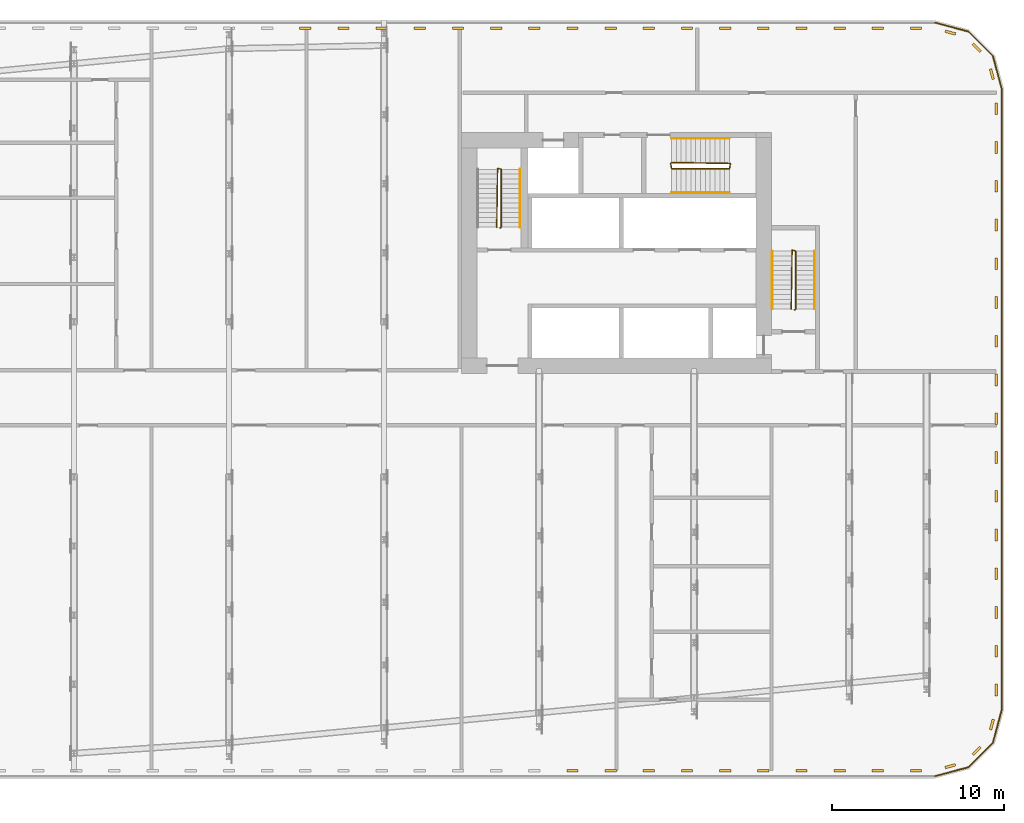
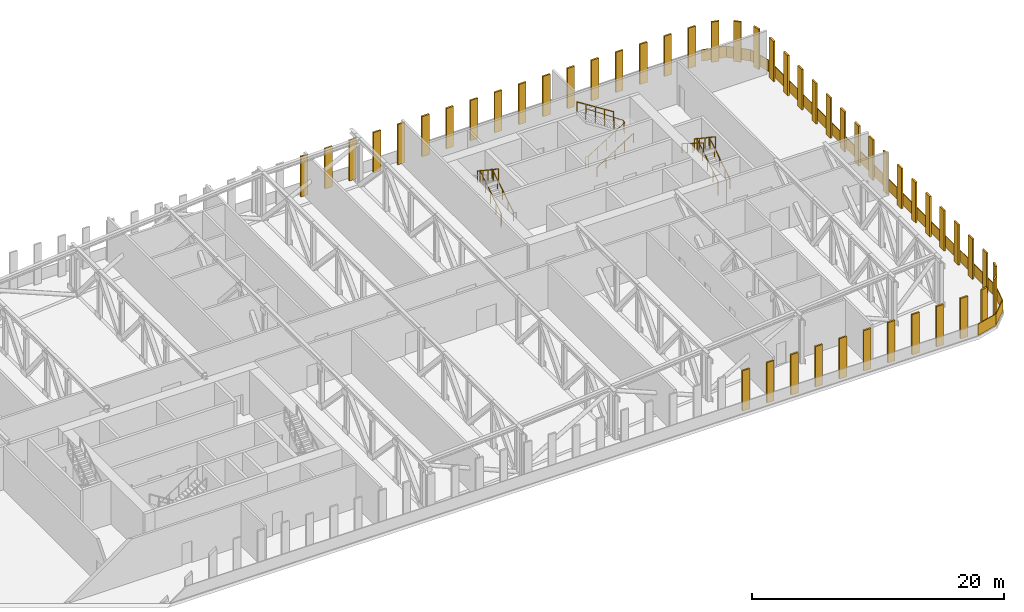
# One storey, part 22 of 22: 49 shading devices, 15 railings.
"""IFC4 building model written with IfcOpenShell, lengths in metres."""

import ifcopenshell
import ifcopenshell.guid

model = None  # the IFC model being written
_history = None  # IfcOwnerHistory: only IFC2X3 demands one
_inside = {}  # id of a spatial element -> (the spatial element, [elements in it])
_under = {}  # id of a project, library or spatial element -> (it, [spatial elements below it])
_declared = {}  # id of a project -> (the project, [libraries it declares])
_typed = {}  # id of a type object -> (the type object, [elements of that type])
_made_of = {}  # id of a material, layer set ... -> (it, [elements and type objects made of it])


def new_model(schema):
    """Start an empty IFC model of exactly this schema.

    Asked for "IFC4X3", IfcOpenShell would pick the latest addendum, in which some entities
    have other attributes; the version numbers below select the first issue.
    IFC2X3 requires an IfcOwnerHistory on every rooted entity: one is made here for all.
    """
    global model, _history
    if schema == "IFC4X3":
        model = ifcopenshell.file(schema_version=(4, 3, 0, 0))
    else:
        model = ifcopenshell.file(schema=schema)
    _inside.clear()
    _under.clear()
    _declared.clear()
    _typed.clear()
    _made_of.clear()
    _history = None
    if model.schema == "IFC2X3":
        org = make("IfcOrganization", Name="unknown")
        user = make(
            "IfcPersonAndOrganization",
            ThePerson=make("IfcPerson", FamilyName="unknown"),
            TheOrganization=org,
        )
        app = make(
            "IfcApplication",
            ApplicationDeveloper=org,
            Version="unknown",
            ApplicationFullName="unknown",
            ApplicationIdentifier="unknown",
        )
        _history = make(
            "IfcOwnerHistory",
            OwningUser=user,
            OwningApplication=app,
            ChangeAction="ADDED",
            CreationDate=0,
        )
    return model


def make(cls, **values):
    """One entity of the class cls with the attributes given. An attribute that is None is left unset."""
    return model.create_entity(
        cls, **{name: value for name, value in values.items() if value is not None}
    )


def rooted(cls, **values):
    """An entity with a GlobalId (a new one), such as an element, a storey or a relation."""
    return make(cls, GlobalId=ifcopenshell.guid.new(), OwnerHistory=_history, **values)


def si_unit(unit_type, name, prefix=None):
    """IfcSIUnit, for example si_unit("LENGTHUNIT", "METRE", prefix="MILLI")."""
    return make("IfcSIUnit", UnitType=unit_type, Prefix=prefix, Name=name)


def assignment(units):
    """IfcUnitAssignment: the units of a project."""
    return None if units is None else make("IfcUnitAssignment", Units=units)


def point(xyz):
    """IfcCartesianPoint."""
    return None if xyz is None else make("IfcCartesianPoint", Coordinates=xyz)


def direction(xyz):
    """IfcDirection."""
    return None if xyz is None else make("IfcDirection", DirectionRatios=xyz)


def frame(location, z_axis=None, x_axis=None):
    """IfcAxis2Placement3D, a coordinate frame: its origin and axes. An axis left out is left unset."""
    return make(
        "IfcAxis2Placement3D",
        Location=point(location),
        Axis=direction(z_axis),
        RefDirection=direction(x_axis),
    )


def frame_2d(location, x_axis=None):
    """IfcAxis2Placement2D, a coordinate frame in the plane: its origin and x axis."""
    return make(
        "IfcAxis2Placement2D", Location=point(location), RefDirection=direction(x_axis)
    )


def origin():
    """The frame at (0, 0, 0) with its axes left unset."""
    return frame((0.0, 0.0, 0.0))


def origin_2d():
    """The frame at (0, 0) in the plane with its x axis left unset."""
    return frame_2d((0.0, 0.0))


def place(relative_to, where):
    """IfcLocalPlacement: puts the frame where relative to a parent placement (None: the world)."""
    return make(
        "IfcLocalPlacement", PlacementRelTo=relative_to, RelativePlacement=where
    )


def context(
    kind, dimensions, precision=None, world=None, true_north=None, identifier=None
):
    """IfcGeometricRepresentationContext, for example the 3D "Model" context."""
    return make(
        "IfcGeometricRepresentationContext",
        ContextIdentifier=identifier,
        ContextType=kind,
        CoordinateSpaceDimension=dimensions,
        Precision=precision,
        WorldCoordinateSystem=world,
        TrueNorth=true_north,
    )


def subcontext(parent, identifier, kind, view, scale=None):
    """IfcGeometricRepresentationSubContext, for example "Body" below "Model"."""
    return make(
        "IfcGeometricRepresentationSubContext",
        ContextIdentifier=identifier,
        ContextType=kind,
        ParentContext=parent,
        TargetScale=scale,
        TargetView=view,
    )


def project(units=None, contexts=None):
    """IfcProject with its units and contexts."""
    return rooted(
        "IfcProject",
        Name="project",
        RepresentationContexts=contexts,
        UnitsInContext=assignment(units),
    )


def spatial(cls, under=None, at=None, **own):
    """A site, building, storey or space (cls), placed at a placement, below another one or the project."""
    s = rooted(cls, ObjectPlacement=at, **own)
    if under is not None:
        _under.setdefault(under.id(), (under, []))[1].append(s)
    return s


def polyline(points):
    """IfcPolyline through the points."""
    return make("IfcPolyline", Points=[point(p) for p in points])


def profile(cls, at=None, kind="AREA", **sizes):
    """A parametric profile (cls). Its sizes go by their IFC names, for example OverallWidth=200.0."""
    return make(cls, ProfileType=kind, Position=at, **sizes)


def rectangle(**sizes):
    """IfcRectangleProfileDef."""
    return profile("IfcRectangleProfileDef", **sizes)


def circle(**sizes):
    """IfcCircleProfileDef."""
    return profile("IfcCircleProfileDef", **sizes)


def outline(outer, holes=None, kind="AREA"):
    """IfcArbitraryClosedProfileDef: a profile drawn as a closed curve; with holes, ...WithVoids."""
    if holes is None:
        return make("IfcArbitraryClosedProfileDef", ProfileType=kind, OuterCurve=outer)
    return make(
        "IfcArbitraryProfileDefWithVoids",
        ProfileType=kind,
        OuterCurve=outer,
        InnerCurves=holes,
    )


def extrude(swept, where, along, depth):
    """IfcExtrudedAreaSolid: the profile swept, set in the frame where, extruded along a direction by depth."""
    return make(
        "IfcExtrudedAreaSolid",
        SweptArea=swept,
        Position=where,
        ExtrudedDirection=direction(along),
        Depth=depth,
    )


def shape(context_of_items, identifier, shape_type, items):
    """IfcShapeRepresentation: the items that make up one representation, for example the "Body"."""
    return make(
        "IfcShapeRepresentation",
        ContextOfItems=context_of_items,
        RepresentationIdentifier=identifier,
        RepresentationType=shape_type,
        Items=items,
    )


def material(Name=None, Category=None):
    """IfcMaterial."""
    return make("IfcMaterial", Name=Name, Category=Category)


def made_of(thing, what):
    """Note that an element or type object is made of a material, layer set ...; save() writes the relation."""
    if what is not None:
        _made_of.setdefault(what.id(), (what, []))[1].append(thing)
    return thing


def type_object(cls, material=None, **own):
    """A type object (cls), such as IfcWallType, which elements share."""
    return made_of(rooted(cls, **own), material)


def element(
    cls,
    number,
    at=None,
    inside=None,
    cuts=None,
    type_object=None,
    material=None,
    context=None,
    identifier="Body",
    shape_type=None,
    held_by="IfcProductDefinitionShape",
    body=None,
    shapes=None,
    **own,
):
    """One element of the class cls, such as IfcWall. Its Tag is "e" and its number.

    at: its placement. inside: the storey or other place that contains it. cuts: it is an
    opening in that element (IfcRelVoidsElement). A single representation is given by context,
    identifier, shape_type and body (its items); several are given by shapes. held_by: the class
    of the entity that holds the representations. save() writes the other relations.
    """
    e = rooted(cls, Tag="e%d" % number, ObjectPlacement=at, **own)
    if body is not None:
        shapes = [shape(context, identifier, shape_type, body)]
    if shapes is not None:
        e.Representation = make(held_by, Representations=shapes)
    if inside is not None:
        _inside.setdefault(inside.id(), (inside, []))[1].append(e)
    if cuts is not None:
        rooted(
            "IfcRelVoidsElement", RelatingBuildingElement=cuts, RelatedOpeningElement=e
        )
    if type_object is not None:
        _typed.setdefault(type_object.id(), (type_object, []))[1].append(e)
    return made_of(e, material)


def aggregate(whole, parts):
    """IfcRelAggregates: a whole, such as a stair, and the parts it consists of."""
    return rooted("IfcRelAggregates", RelatingObject=whole, RelatedObjects=parts)


def save(model, path):
    """Write the relations noted so far, then the file.

    IfcRelAggregates (storeys below a building ...), IfcRelContainedInSpatialStructure (elements
    in a storey), IfcRelDefinesByType, IfcRelAssociatesMaterial and IfcRelDeclares: one each for
    every whole, place, type object, material and project.
    """
    for whole, parts in _under.values():
        aggregate(whole, parts)
    for where, things in _inside.values():
        rooted(
            "IfcRelContainedInSpatialStructure",
            RelatedElements=things,
            RelatingStructure=where,
        )
    for kind, things in _typed.values():
        rooted("IfcRelDefinesByType", RelatedObjects=things, RelatingType=kind)
    for what, things in _made_of.values():
        rooted("IfcRelAssociatesMaterial", RelatedObjects=things, RelatingMaterial=what)
    for by, libraries in _declared.values():
        rooted("IfcRelDeclares", RelatingContext=by, RelatedDefinitions=libraries)
    model.write(path)


model = new_model("IFC4")

# Units and contexts
model_context = context("Model", 3, precision=1e-05, world=origin(), true_north=direction((0.0, 1.0)))
body_context = subcontext(model_context, "Body", "Model", "MODEL_VIEW")
ifc_project = project(units=[si_unit("LENGTHUNIT", "METRE"), si_unit("AREAUNIT", "SQUARE_METRE"), si_unit("VOLUMEUNIT", "CUBIC_METRE"), si_unit("PLANEANGLEUNIT", "RADIAN"), si_unit("MASSUNIT", "GRAM", prefix="KILO")], contexts=[model_context])

# Site, building, storey
site_placement = place(None, origin())
site = spatial("IfcSite", under=ifc_project, at=site_placement, CompositionType="ELEMENT")
building_placement = place(site_placement, origin())
building = spatial("IfcBuilding", under=site, at=building_placement, Name="Kajstack Hotel Tower", CompositionType="ELEMENT")
storey_placement = place(building_placement, frame((0.0, 0.0, 99.60009765625)))
storey = spatial("IfcBuildingStorey", under=building, at=storey_placement, Name="L21", CompositionType="ELEMENT", Elevation=99.60009765625)

# Railings
ifc_material = material(Name="Steel S355J2", Category="steel")
railing_type_1 = type_object("IfcRailingType", Name="GUARD-FACADE", PredefinedType="GUARDRAIL", material=ifc_material)
railing_1_placement = place(storey_placement, frame((40.984130859375, -21.8798828125, 0.0)))
element("IfcRailing", 1, at=railing_1_placement, inside=storey, type_object=railing_type_1, Name="Guard L21 slab edge 04", PredefinedType="GUARDRAIL", context=body_context, shape_type="SweptSolid", body=[
    extrude(outline(polyline([(1.946044921875, 0.552490234375), (1.961669921875, 0.494384765625), (0.0078125, -0.029052734375), (-0.0078125, 0.029052734375), (1.946044921875, 0.552490234375)])), origin(), (0.0, 0.0, 1.0), 1.10009765625),
])
railing_2_placement = place(storey_placement, frame((42.93798828125, -21.3564453125, 0.0)))
element("IfcRailing", 2, at=railing_2_placement, inside=storey, type_object=railing_type_1, Name="Guard L21 slab edge 05", PredefinedType="GUARDRAIL", context=body_context, shape_type="SweptSolid", body=[
    extrude(outline(polyline([(1.397216796875, 1.439697265625), (1.439697265625, 1.397216796875), (0.021240234375, -0.021240234375), (-0.021240234375, 0.021240234375), (1.397216796875, 1.439697265625)])), origin(), (0.0, 0.0, 1.0), 1.10009765625),
])
railing_3_placement = place(storey_placement, frame((44.3564453125, -19.93798828125, 0.0)))
element("IfcRailing", 3, at=railing_3_placement, inside=storey, type_object=railing_type_1, Name="Guard L21 slab edge 06", PredefinedType="GUARDRAIL", context=body_context, shape_type="SweptSolid", body=[
    extrude(outline(polyline([(0.494384765625, 1.961669921875), (0.552490234375, 1.946044921875), (0.029052734375, -0.0078125), (-0.029052734375, 0.0078125), (0.494384765625, 1.961669921875)])), origin(), (0.0, 0.0, 1.0), 1.10009765625),
])
railing_4_placement = place(storey_placement, frame((44.8798828125, -17.984130859375, 0.0)))
element("IfcRailing", 4, at=railing_4_placement, inside=storey, type_object=railing_type_1, Name="Guard L21 slab edge 07", PredefinedType="GUARDRAIL", context=body_context, shape_type="SweptSolid", body=[
    extrude(outline(polyline([(-0.030029296875, 35.96826171875), (0.030029296875, 35.96826171875), (0.030029296875, 0.0), (-0.030029296875, 0.0), (-0.030029296875, 35.96826171875)])), origin(), (0.0, 0.0, 1.0), 1.10009765625),
])
railing_5_placement = place(storey_placement, frame((44.8798828125, 17.984130859375, 0.0)))
element("IfcRailing", 5, at=railing_5_placement, inside=storey, type_object=railing_type_1, Name="Guard L21 slab edge 08", PredefinedType="GUARDRAIL", context=body_context, shape_type="SweptSolid", body=[
    extrude(outline(polyline([(-0.552490234375, 1.946044921875), (-0.494384765625, 1.961669921875), (0.029052734375, 0.0078125), (-0.029052734375, -0.0078125), (-0.552490234375, 1.946044921875)])), origin(), (0.0, 0.0, 1.0), 1.10009765625),
])
railing_6_placement = place(storey_placement, frame((44.3564453125, 19.93798828125, 0.0)))
element("IfcRailing", 6, at=railing_6_placement, inside=storey, type_object=railing_type_1, Name="Guard L21 slab edge 09", PredefinedType="GUARDRAIL", context=body_context, shape_type="SweptSolid", body=[
    extrude(outline(polyline([(-1.439697265625, 1.397216796875), (-1.397216796875, 1.439697265625), (0.021240234375, 0.021240234375), (-0.021240234375, -0.021240234375), (-1.439697265625, 1.397216796875)])), origin(), (0.0, 0.0, 1.0), 1.10009765625),
])
railing_7_placement = place(storey_placement, frame((42.93798828125, 21.3564453125, 0.0)))
element("IfcRailing", 7, at=railing_7_placement, inside=storey, type_object=railing_type_1, Name="Guard L21 slab edge 10", PredefinedType="GUARDRAIL", context=body_context, shape_type="SweptSolid", body=[
    extrude(outline(polyline([(-1.961669921875, 0.494384765625), (-1.946044921875, 0.552490234375), (0.0078125, 0.029052734375), (-0.0078125, -0.029052734375), (-1.961669921875, 0.494384765625)])), origin(), (0.0, 0.0, 1.0), 1.10009765625),
])
railing_type_2 = type_object("IfcRailingType", Name="Stair guard 1100", PredefinedType="GUARDRAIL", material=ifc_material)
railing_8_placement = place(storey_placement, frame((32.85009765625, 5.199951171875, 0.0)))
element("IfcRailing", 8, at=railing_8_placement, inside=storey, type_object=railing_type_2, Name="L21 E1 stair guard 1", PredefinedType="GUARDRAIL", context=body_context, shape_type="SweptSolid", body=[
    extrude(circle(Radius=0.02392578125, at=origin_2d()), frame((0.0, 0.0, 1.076171875), z_axis=(0.261663861435, 0.262946527422, 0.928650174897), x_axis=(-0.708833529934, 0.705375805398, 0.0)), (0.0, 0.0, 1.0), 0.1904296875),
    extrude(circle(Radius=0.02392578125, at=origin_2d()), frame((0.0498046875, 0.050048828125, 1.2529296875), z_axis=(0.0, 0.845389635667, 0.534150132366), x_axis=(-1.0, 0.0, 0.0)), (0.0, 0.0, 1.0), 3.974609375),
    extrude(circle(Radius=0.02392578125, at=origin_2d()), frame((0.0498046875, 3.41015625, 3.3759765625), z_axis=(-0.970351222016, 0.241699205484, 0.0), x_axis=(-0.241699205484, -0.970351222016, 0.0)), (0.0, 0.0, 1.0), 0.2060546875),
    extrude(circle(Radius=0.02392578125, at=origin_2d()), frame((-0.150146484375, 3.4599609375, 3.3759765625), z_axis=(-0.012167203753, -0.828972364935, 0.559157202696), x_axis=(0.999892303572, -0.014675873289, 0.0)), (0.0, 0.0, 1.0), 4.113525390625),
    extrude(circle(Radius=0.02099609375, at=origin_2d()), origin(), (0.0, 0.0, 1.0), 1.052001953125),
    extrude(circle(Radius=0.02099609375, at=origin_2d()), frame((0.0498046875, 0.050048828125, 0.1767578125)), (0.0, 0.0, 1.0), 1.052001953125),
    extrude(circle(Radius=0.02099609375, at=origin_2d()), frame((0.0498046875, 0.89013671875, 0.70751953125)), (0.0, 0.0, 1.0), 1.052001953125),
    extrude(circle(Radius=0.02099609375, at=origin_2d()), frame((0.0498046875, 1.72998046875, 1.23828125)), (0.0, 0.0, 1.0), 1.052001953125),
    extrude(circle(Radius=0.02099609375, at=origin_2d()), frame((0.0498046875, 2.570068359375, 1.76904296875)), (0.0, 0.0, 1.0), 1.052001953125),
    extrude(circle(Radius=0.02099609375, at=origin_2d()), frame((0.0498046875, 3.41015625, 2.2998046875)), (0.0, 0.0, 1.0), 1.052001953125),
    extrude(circle(Radius=0.02099609375, at=origin_2d()), frame((-0.150146484375, 3.4599609375, 2.2998046875)), (0.0, 0.0, 1.0), 1.052001953125),
    extrude(circle(Radius=0.02099609375, at=origin_2d()), frame((-0.16259765625, 2.607421875, 2.874755859375)), (0.0, 0.0, 1.0), 1.052001953125),
    extrude(circle(Radius=0.02099609375, at=origin_2d()), frame((-0.17529296875, 1.7548828125, 3.44970703125)), (0.0, 0.0, 1.0), 1.052001953125),
    extrude(circle(Radius=0.02099609375, at=origin_2d()), frame((-0.187744140625, 0.902587890625, 4.02490234375)), (0.0, 0.0, 1.0), 1.052001953125),
    extrude(circle(Radius=0.02099609375, at=origin_2d()), frame((-0.2001953125, 0.050048828125, 4.599853515625)), (0.0, 0.0, 1.0), 1.052001953125),
])
railing_9_placement = place(storey_placement, frame((15.75, 9.949951171875, 0.0)))
element("IfcRailing", 9, at=railing_9_placement, inside=storey, type_object=railing_type_2, Name="L21 E2 stair guard 1", PredefinedType="GUARDRAIL", context=body_context, shape_type="SweptSolid", body=[
    extrude(circle(Radius=0.02392578125, at=origin_2d()), frame((0.0, 0.0, 1.076171875), z_axis=(0.262858103699, 0.262858103699, 0.928337888185), x_axis=(-0.707106781187, 0.707106781187, 0.0)), (0.0, 0.0, 1.0), 0.1904296875),
    extrude(circle(Radius=0.02392578125, at=origin_2d()), frame((0.050048828125, 0.050048828125, 1.2529296875), z_axis=(0.0, 0.845389635667, 0.534150132366), x_axis=(-1.0, 0.0, 0.0)), (0.0, 0.0, 1.0), 3.974609375),
    extrude(circle(Radius=0.02392578125, at=origin_2d()), frame((0.050048828125, 3.41015625, 3.3759765625), z_axis=(-0.970351222016, 0.241699205484, 0.0), x_axis=(-0.241699205484, -0.970351222016, 0.0)), (0.0, 0.0, 1.0), 0.2060546875),
    extrude(circle(Radius=0.02392578125, at=origin_2d()), frame((-0.14990234375, 3.4599609375, 3.3759765625), z_axis=(-0.012167203753, -0.828972364935, 0.559157202696), x_axis=(0.999892303572, -0.014675873289, 0.0)), (0.0, 0.0, 1.0), 4.113525390625),
    extrude(circle(Radius=0.02099609375, at=origin_2d()), origin(), (0.0, 0.0, 1.0), 1.052001953125),
    extrude(circle(Radius=0.02099609375, at=origin_2d()), frame((0.050048828125, 0.050048828125, 0.1767578125)), (0.0, 0.0, 1.0), 1.052001953125),
    extrude(circle(Radius=0.02099609375, at=origin_2d()), frame((0.050048828125, 0.89013671875, 0.70751953125)), (0.0, 0.0, 1.0), 1.052001953125),
    extrude(circle(Radius=0.02099609375, at=origin_2d()), frame((0.050048828125, 1.72998046875, 1.23828125)), (0.0, 0.0, 1.0), 1.052001953125),
    extrude(circle(Radius=0.02099609375, at=origin_2d()), frame((0.050048828125, 2.570068359375, 1.76904296875)), (0.0, 0.0, 1.0), 1.052001953125),
    extrude(circle(Radius=0.02099609375, at=origin_2d()), frame((0.050048828125, 3.41015625, 2.2998046875)), (0.0, 0.0, 1.0), 1.052001953125),
    extrude(circle(Radius=0.02099609375, at=origin_2d()), frame((-0.14990234375, 3.4599609375, 2.2998046875)), (0.0, 0.0, 1.0), 1.052001953125),
    extrude(circle(Radius=0.02099609375, at=origin_2d()), frame((-0.162353515625, 2.607421875, 2.874755859375)), (0.0, 0.0, 1.0), 1.052001953125),
    extrude(circle(Radius=0.02099609375, at=origin_2d()), frame((-0.1748046875, 1.7548828125, 3.44970703125)), (0.0, 0.0, 1.0), 1.052001953125),
    extrude(circle(Radius=0.02099609375, at=origin_2d()), frame((-0.1875, 0.902587890625, 4.02490234375)), (0.0, 0.0, 1.0), 1.052001953125),
    extrude(circle(Radius=0.02099609375, at=origin_2d()), frame((-0.199951171875, 0.050048828125, 4.599853515625)), (0.0, 0.0, 1.0), 1.052001953125),
])
railing_10_placement = place(storey_placement, frame((25.64990234375, 13.699951171875, 0.0)))
element("IfcRailing", 10, at=railing_10_placement, inside=storey, type_object=railing_type_2, Name="L21 E3 stair guard 1", PredefinedType="GUARDRAIL", context=body_context, shape_type="SweptSolid", body=[
    extrude(circle(Radius=0.02392578125, at=origin_2d()), frame((0.0, 0.0, 1.076171875), z_axis=(0.142256803, -0.852846882373, 0.502409392057), x_axis=(0.986372223864, 0.164529134168, 0.0)), (0.0, 0.0, 1.0), 0.351806640625),
    extrude(circle(Radius=0.02392578125, at=origin_2d()), frame((0.050048828125, -0.300048828125, 1.2529296875), z_axis=(0.845389635667, 0.0, 0.534150132366), x_axis=(0.0, 1.0, 0.0)), (0.0, 0.0, 1.0), 3.974609375),
    extrude(circle(Radius=0.02392578125, at=origin_2d()), frame((3.41015625, -0.300048828125, 3.3759765625), z_axis=(0.164529134168, 0.986372223864, 0.0), x_axis=(-0.986372223864, 0.164529134168, 0.0)), (0.0, 0.0, 1.0), 0.30419921875),
    extrude(circle(Radius=0.02392578125, at=origin_2d()), frame((3.460205078125, 0.0, 3.3759765625), z_axis=(-0.828990929223, 0.012166605133, 0.559129692455), x_axis=(-0.014674822837, -0.99989231899, 0.0)), (0.0, 0.0, 1.0), 4.113525390625),
    extrude(circle(Radius=0.02099609375, at=origin_2d()), origin(), (0.0, 0.0, 1.0), 1.052001953125),
    extrude(circle(Radius=0.02099609375, at=origin_2d()), frame((0.050048828125, -0.300048828125, 0.1767578125)), (0.0, 0.0, 1.0), 1.052001953125),
    extrude(circle(Radius=0.02099609375, at=origin_2d()), frame((0.89013671875, -0.300048828125, 0.70751953125)), (0.0, 0.0, 1.0), 1.052001953125),
    extrude(circle(Radius=0.02099609375, at=origin_2d()), frame((1.72998046875, -0.300048828125, 1.23828125)), (0.0, 0.0, 1.0), 1.052001953125),
    extrude(circle(Radius=0.02099609375, at=origin_2d()), frame((2.570068359375, -0.300048828125, 1.76904296875)), (0.0, 0.0, 1.0), 1.052001953125),
    extrude(circle(Radius=0.02099609375, at=origin_2d()), frame((3.41015625, -0.300048828125, 2.2998046875)), (0.0, 0.0, 1.0), 1.052001953125),
    extrude(circle(Radius=0.02099609375, at=origin_2d()), frame((3.460205078125, 0.0, 2.2998046875)), (0.0, 0.0, 1.0), 1.052001953125),
    extrude(circle(Radius=0.02099609375, at=origin_2d()), frame((2.607666015625, 0.012451171875, 2.874755859375)), (0.0, 0.0, 1.0), 1.052001953125),
    extrude(circle(Radius=0.02099609375, at=origin_2d()), frame((1.755126953125, 0.02490234375, 3.44970703125)), (0.0, 0.0, 1.0), 1.052001953125),
    extrude(circle(Radius=0.02099609375, at=origin_2d()), frame((0.902587890625, 0.03759765625, 4.02490234375)), (0.0, 0.0, 1.0), 1.052001953125),
    extrude(circle(Radius=0.02099609375, at=origin_2d()), frame((0.050048828125, 0.050048828125, 4.599853515625)), (0.0, 0.0, 1.0), 1.052001953125),
])
railing_type_3 = type_object("IfcRailingType", Name="Stair handrail 900", PredefinedType="HANDRAIL", material=ifc_material)
railing_11_placement = place(storey_placement, frame((34.0, 5.25, 0.1767578125)))
element("IfcRailing", 11, at=railing_11_placement, inside=storey, type_object=railing_type_3, Name="L21 E1 stair handrail 1", PredefinedType="HANDRAIL", context=body_context, shape_type="SweptSolid", body=[
    extrude(circle(Radius=0.02392578125, at=origin_2d()), frame((0.0, 0.0, 0.8759765625), z_axis=(0.0, 0.845389635667, 0.534150132366), x_axis=(-1.0, 0.0, 0.0)), (0.0, 0.0, 1.0), 3.974609375),
    extrude(circle(Radius=0.02099609375, at=origin_2d()), origin(), (0.0, 0.0, 1.0), 0.851806640625),
    extrude(circle(Radius=0.02099609375, at=origin_2d()), frame((0.0, 0.840087890625, 0.53076171875)), (0.0, 0.0, 1.0), 0.851806640625),
    extrude(circle(Radius=0.02099609375, at=origin_2d()), frame((0.0, 1.68017578125, 1.0615234375)), (0.0, 0.0, 1.0), 0.851806640625),
    extrude(circle(Radius=0.02099609375, at=origin_2d()), frame((0.0, 2.52001953125, 1.59228515625)), (0.0, 0.0, 1.0), 0.851806640625),
    extrude(circle(Radius=0.02099609375, at=origin_2d()), frame((0.0, 3.360107421875, 2.123046875)), (0.0, 0.0, 1.0), 0.851806640625),
])
railing_12_placement = place(storey_placement, frame((31.550048828125, 8.610107421875, 2.476806640625)))
element("IfcRailing", 12, at=railing_12_placement, inside=storey, type_object=railing_type_3, Name="L21 E1 stair handrail 2", PredefinedType="HANDRAIL", context=body_context, shape_type="SweptSolid", body=[
    extrude(circle(Radius=0.02392578125, at=origin_2d()), frame((0.0, 0.0, 0.8759765625), z_axis=(0.0, -0.845389635667, 0.534150132366), x_axis=(1.0, 0.0, 0.0)), (0.0, 0.0, 1.0), 3.974609375),
    extrude(circle(Radius=0.02099609375, at=origin_2d()), origin(), (0.0, 0.0, 1.0), 0.851806640625),
    extrude(circle(Radius=0.02099609375, at=origin_2d()), frame((0.0, -0.840087890625, 0.53076171875)), (0.0, 0.0, 1.0), 0.851806640625),
    extrude(circle(Radius=0.02099609375, at=origin_2d()), frame((0.0, -1.68017578125, 1.0615234375)), (0.0, 0.0, 1.0), 0.851806640625),
    extrude(circle(Radius=0.02099609375, at=origin_2d()), frame((0.0, -2.52001953125, 1.59228515625)), (0.0, 0.0, 1.0), 0.851806640625),
    extrude(circle(Radius=0.02099609375, at=origin_2d()), frame((0.0, -3.360107421875, 2.123046875)), (0.0, 0.0, 1.0), 0.851806640625),
])
railing_13_placement = place(storey_placement, frame((16.89990234375, 10.0, 0.1767578125)))
element("IfcRailing", 13, at=railing_13_placement, inside=storey, type_object=railing_type_3, Name="L21 E2 stair handrail 1", PredefinedType="HANDRAIL", context=body_context, shape_type="SweptSolid", body=[
    extrude(circle(Radius=0.02392578125, at=origin_2d()), frame((0.0, 0.0, 0.8759765625), z_axis=(0.0, 0.845389635667, 0.534150132366), x_axis=(-1.0, 0.0, 0.0)), (0.0, 0.0, 1.0), 3.974609375),
    extrude(circle(Radius=0.02099609375, at=origin_2d()), origin(), (0.0, 0.0, 1.0), 0.851806640625),
    extrude(circle(Radius=0.02099609375, at=origin_2d()), frame((0.0, 0.840087890625, 0.53076171875)), (0.0, 0.0, 1.0), 0.851806640625),
    extrude(circle(Radius=0.02099609375, at=origin_2d()), frame((0.0, 1.68017578125, 1.0615234375)), (0.0, 0.0, 1.0), 0.851806640625),
    extrude(circle(Radius=0.02099609375, at=origin_2d()), frame((0.0, 2.52001953125, 1.59228515625)), (0.0, 0.0, 1.0), 0.851806640625),
    extrude(circle(Radius=0.02099609375, at=origin_2d()), frame((0.0, 3.360107421875, 2.123046875)), (0.0, 0.0, 1.0), 0.851806640625),
])
railing_14_placement = place(storey_placement, frame((25.699951171875, 12.0, 0.1767578125)))
element("IfcRailing", 14, at=railing_14_placement, inside=storey, type_object=railing_type_3, Name="L21 E3 stair handrail 1", PredefinedType="HANDRAIL", context=body_context, shape_type="SweptSolid", body=[
    extrude(circle(Radius=0.02392578125, at=origin_2d()), frame((0.0, 0.0, 0.8759765625), z_axis=(0.845389635667, 0.0, 0.534150132366), x_axis=(0.0, 1.0, 0.0)), (0.0, 0.0, 1.0), 3.974609375),
    extrude(circle(Radius=0.02099609375, at=origin_2d()), origin(), (0.0, 0.0, 1.0), 0.851806640625),
    extrude(circle(Radius=0.02099609375, at=origin_2d()), frame((0.840087890625, 0.0, 0.53076171875)), (0.0, 0.0, 1.0), 0.851806640625),
    extrude(circle(Radius=0.02099609375, at=origin_2d()), frame((1.68017578125, 0.0, 1.0615234375)), (0.0, 0.0, 1.0), 0.851806640625),
    extrude(circle(Radius=0.02099609375, at=origin_2d()), frame((2.52001953125, 0.0, 1.59228515625)), (0.0, 0.0, 1.0), 0.851806640625),
    extrude(circle(Radius=0.02099609375, at=origin_2d()), frame((3.360107421875, 0.0, 2.123046875)), (0.0, 0.0, 1.0), 0.851806640625),
])
railing_15_placement = place(storey_placement, frame((29.06005859375, 15.14990234375, 2.476806640625)))
element("IfcRailing", 15, at=railing_15_placement, inside=storey, type_object=railing_type_3, Name="L21 E3 stair handrail 2", PredefinedType="HANDRAIL", context=body_context, shape_type="SweptSolid", body=[
    extrude(circle(Radius=0.02392578125, at=origin_2d()), frame((0.0, 0.0, 0.8759765625), z_axis=(-0.845389635667, 0.0, 0.534150132366), x_axis=(0.0, -1.0, 0.0)), (0.0, 0.0, 1.0), 3.974609375),
    extrude(circle(Radius=0.02099609375, at=origin_2d()), origin(), (0.0, 0.0, 1.0), 0.851806640625),
    extrude(circle(Radius=0.02099609375, at=origin_2d()), frame((-0.840087890625, 0.0, 0.53076171875)), (0.0, 0.0, 1.0), 0.851806640625),
    extrude(circle(Radius=0.02099609375, at=origin_2d()), frame((-1.68017578125, 0.0, 1.0615234375)), (0.0, 0.0, 1.0), 0.851806640625),
    extrude(circle(Radius=0.02099609375, at=origin_2d()), frame((-2.52001953125, 0.0, 1.59228515625)), (0.0, 0.0, 1.0), 0.851806640625),
    extrude(circle(Radius=0.02099609375, at=origin_2d()), frame((-3.360107421875, 0.0, 2.123046875)), (0.0, 0.0, 1.0), 0.851806640625),
])

# Shading devices
for number, where, z_axis, x_axis, name in (
    (16, (19.946044921875, -21.550048828125, 0.0), (0.0, 0.0, 1.0), (1.0, 0.0, 0.0), "Screen L21-03-28"),
    (17, (22.162109375, -21.550048828125, 0.0), (0.0, 0.0, 1.0), (1.0, 0.0, 0.0), "Screen L21-03-29"),
    (18, (24.37841796875, -21.550048828125, 0.0), (0.0, 0.0, 1.0), (1.0, 0.0, 0.0), "Screen L21-03-30"),
    (19, (26.594482421875, -21.550048828125, 0.0), (0.0, 0.0, 1.0), (1.0, 0.0, 0.0), "Screen L21-03-31"),
    (20, (28.810791015625, -21.550048828125, 0.0), (0.0, 0.0, 1.0), (1.0, 0.0, 0.0), "Screen L21-03-32"),
    (21, (31.027099609375, -21.550048828125, 0.0), (0.0, 0.0, 1.0), (1.0, 0.0, 0.0), "Screen L21-03-33"),
    (22, (33.2431640625, -21.550048828125, 0.0), (0.0, 0.0, 1.0), (1.0, 0.0, 0.0), "Screen L21-03-34"),
    (23, (35.45947265625, -21.550048828125, 0.0), (0.0, 0.0, 1.0), (1.0, 0.0, 0.0), "Screen L21-03-35"),
    (24, (37.67578125, -21.550048828125, 0.0), (0.0, 0.0, 1.0), (1.0, 0.0, 0.0), "Screen L21-03-36"),
    (25, (39.891845703125, -21.550048828125, 0.0), (0.0, 0.0, 1.0), (1.0, 0.0, 0.0), "Screen L21-03-37"),
):
    element("IfcShadingDevice", number, at=place(storey_placement, frame(where, z_axis=z_axis, x_axis=x_axis)), inside=storey, Name=name, ObjectType="SCREEN", PredefinedType="USERDEFINED", context=body_context, shape_type="SweptSolid", body=[
        extrude(rectangle(XDim=0.664794921875, YDim=0.14990234375, at=origin_2d()), origin(), (0.0, 0.0, 1.0), 3.89990234375),
    ])
for number, where, z_axis, x_axis, name in (
    (26, (41.883544921875, -21.29736328125, 0.0), (0.0, 0.0, 1.0), (0.965925632047, 0.258819770022, 0.0), "Screen L21-04-01"),
    (27, (43.413818359375, -20.413818359375, 0.0), (0.0, 0.0, 1.0), (0.707106781187, 0.707106781187, 0.0), "Screen L21-05-01"),
    (28, (44.29736328125, -18.883544921875, 0.0), (0.0, 0.0, 1.0), (0.258819770022, 0.965925632047, 0.0), "Screen L21-06-01"),
):
    element("IfcShadingDevice", number, at=place(storey_placement, frame(where, z_axis=z_axis, x_axis=x_axis)), inside=storey, Name=name, ObjectType="SCREEN", PredefinedType="USERDEFINED", context=body_context, shape_type="SweptSolid", body=[
        extrude(rectangle(XDim=0.62109375, YDim=0.14990234375, at=origin_2d()), origin(), (0.0, 0.0, 1.0), 3.89990234375),
    ])
for number, where, z_axis, x_axis, name in (
    (29, (44.550048828125, -16.875, 0.0), (0.0, 0.0, 1.0), (0.0, 1.0, 0.0), "Screen L21-07-01"),
    (30, (44.550048828125, -14.625, 0.0), (0.0, 0.0, 1.0), (0.0, 1.0, 0.0), "Screen L21-07-02"),
    (31, (44.550048828125, -12.375, 0.0), (0.0, 0.0, 1.0), (0.0, 1.0, 0.0), "Screen L21-07-03"),
    (32, (44.550048828125, -10.125, 0.0), (0.0, 0.0, 1.0), (0.0, 1.0, 0.0), "Screen L21-07-04"),
    (33, (44.550048828125, -7.875, 0.0), (0.0, 0.0, 1.0), (0.0, 1.0, 0.0), "Screen L21-07-05"),
    (34, (44.550048828125, -5.625, 0.0), (0.0, 0.0, 1.0), (0.0, 1.0, 0.0), "Screen L21-07-06"),
    (35, (44.550048828125, -3.375, 0.0), (0.0, 0.0, 1.0), (0.0, 1.0, 0.0), "Screen L21-07-07"),
    (36, (44.550048828125, -1.125, 0.0), (0.0, 0.0, 1.0), (0.0, 1.0, 0.0), "Screen L21-07-08"),
    (37, (44.550048828125, 1.125, 0.0), (0.0, 0.0, 1.0), (0.0, 1.0, 0.0), "Screen L21-07-09"),
    (38, (44.550048828125, 3.375, 0.0), (0.0, 0.0, 1.0), (0.0, 1.0, 0.0), "Screen L21-07-10"),
    (39, (44.550048828125, 5.625, 0.0), (0.0, 0.0, 1.0), (0.0, 1.0, 0.0), "Screen L21-07-11"),
    (40, (44.550048828125, 7.875, 0.0), (0.0, 0.0, 1.0), (0.0, 1.0, 0.0), "Screen L21-07-12"),
    (41, (44.550048828125, 10.125, 0.0), (0.0, 0.0, 1.0), (0.0, 1.0, 0.0), "Screen L21-07-13"),
    (42, (44.550048828125, 12.375, 0.0), (0.0, 0.0, 1.0), (0.0, 1.0, 0.0), "Screen L21-07-14"),
    (43, (44.550048828125, 14.625, 0.0), (0.0, 0.0, 1.0), (0.0, 1.0, 0.0), "Screen L21-07-15"),
    (44, (44.550048828125, 16.875, 0.0), (0.0, 0.0, 1.0), (0.0, 1.0, 0.0), "Screen L21-07-16"),
):
    element("IfcShadingDevice", number, at=place(storey_placement, frame(where, z_axis=z_axis, x_axis=x_axis)), inside=storey, Name=name, ObjectType="SCREEN", PredefinedType="USERDEFINED", context=body_context, shape_type="SweptSolid", body=[
        extrude(rectangle(XDim=0.675048828125, YDim=0.14990234375, at=origin_2d()), origin(), (0.0, 0.0, 1.0), 3.89990234375),
    ])
for number, where, z_axis, x_axis, name in (
    (45, (44.29736328125, 18.883544921875, 0.0), (0.0, 0.0, 1.0), (-0.258819770022, 0.965925632047, 0.0), "Screen L21-08-01"),
    (46, (43.413818359375, 20.413818359375, 0.0), (0.0, 0.0, 1.0), (-0.707106781187, 0.707106781187, 0.0), "Screen L21-09-01"),
    (47, (41.883544921875, 21.29736328125, 0.0), (0.0, 0.0, 1.0), (-0.965925632047, 0.258819770022, 0.0), "Screen L21-10-01"),
):
    element("IfcShadingDevice", number, at=place(storey_placement, frame(where, z_axis=z_axis, x_axis=x_axis)), inside=storey, Name=name, ObjectType="SCREEN", PredefinedType="USERDEFINED", context=body_context, shape_type="SweptSolid", body=[
        extrude(rectangle(XDim=0.62109375, YDim=0.14990234375, at=origin_2d()), origin(), (0.0, 0.0, 1.0), 3.89990234375),
    ])
for number, where, z_axis, x_axis, name in (
    (48, (39.891845703125, 21.550048828125, 0.0), (0.0, 0.0, 1.0), (-1.0, 0.0, 0.0), "Screen L21-11-01"),
    (49, (37.67578125, 21.550048828125, 0.0), (0.0, 0.0, 1.0), (-1.0, 0.0, 0.0), "Screen L21-11-02"),
    (50, (35.45947265625, 21.550048828125, 0.0), (0.0, 0.0, 1.0), (-1.0, 0.0, 0.0), "Screen L21-11-03"),
    (51, (33.2431640625, 21.550048828125, 0.0), (0.0, 0.0, 1.0), (-1.0, 0.0, 0.0), "Screen L21-11-04"),
    (52, (31.027099609375, 21.550048828125, 0.0), (0.0, 0.0, 1.0), (-1.0, 0.0, 0.0), "Screen L21-11-05"),
    (53, (28.810791015625, 21.550048828125, 0.0), (0.0, 0.0, 1.0), (-1.0, 0.0, 0.0), "Screen L21-11-06"),
    (54, (26.594482421875, 21.550048828125, 0.0), (0.0, 0.0, 1.0), (-1.0, 0.0, 0.0), "Screen L21-11-07"),
    (55, (24.37841796875, 21.550048828125, 0.0), (0.0, 0.0, 1.0), (-1.0, 0.0, 0.0), "Screen L21-11-08"),
    (56, (22.162109375, 21.550048828125, 0.0), (0.0, 0.0, 1.0), (-1.0, 0.0, 0.0), "Screen L21-11-09"),
    (57, (19.946044921875, 21.550048828125, 0.0), (0.0, 0.0, 1.0), (-1.0, 0.0, 0.0), "Screen L21-11-10"),
    (58, (17.729736328125, 21.550048828125, 0.0), (0.0, 0.0, 1.0), (-1.0, 0.0, 0.0), "Screen L21-11-11"),
    (59, (15.513427734375, 21.550048828125, 0.0), (0.0, 0.0, 1.0), (-1.0, 0.0, 0.0), "Screen L21-11-12"),
    (60, (13.29736328125, 21.550048828125, 0.0), (0.0, 0.0, 1.0), (-1.0, 0.0, 0.0), "Screen L21-11-13"),
    (61, (11.0810546875, 21.550048828125, 0.0), (0.0, 0.0, 1.0), (-1.0, 0.0, 0.0), "Screen L21-11-14"),
    (62, (8.86474609375, 21.550048828125, 0.0), (0.0, 0.0, 1.0), (-1.0, 0.0, 0.0), "Screen L21-11-15"),
    (63, (6.648681640625, 21.550048828125, 0.0), (0.0, 0.0, 1.0), (-1.0, 0.0, 0.0), "Screen L21-11-16"),
    (64, (4.432373046875, 21.550048828125, 0.0), (0.0, 0.0, 1.0), (-1.0, 0.0, 0.0), "Screen L21-11-17"),
):
    element("IfcShadingDevice", number, at=place(storey_placement, frame(where, z_axis=z_axis, x_axis=x_axis)), inside=storey, Name=name, ObjectType="SCREEN", PredefinedType="USERDEFINED", context=body_context, shape_type="SweptSolid", body=[
        extrude(rectangle(XDim=0.664794921875, YDim=0.14990234375, at=origin_2d()), origin(), (0.0, 0.0, 1.0), 3.89990234375),
    ])

save(model, "model.ifc")
